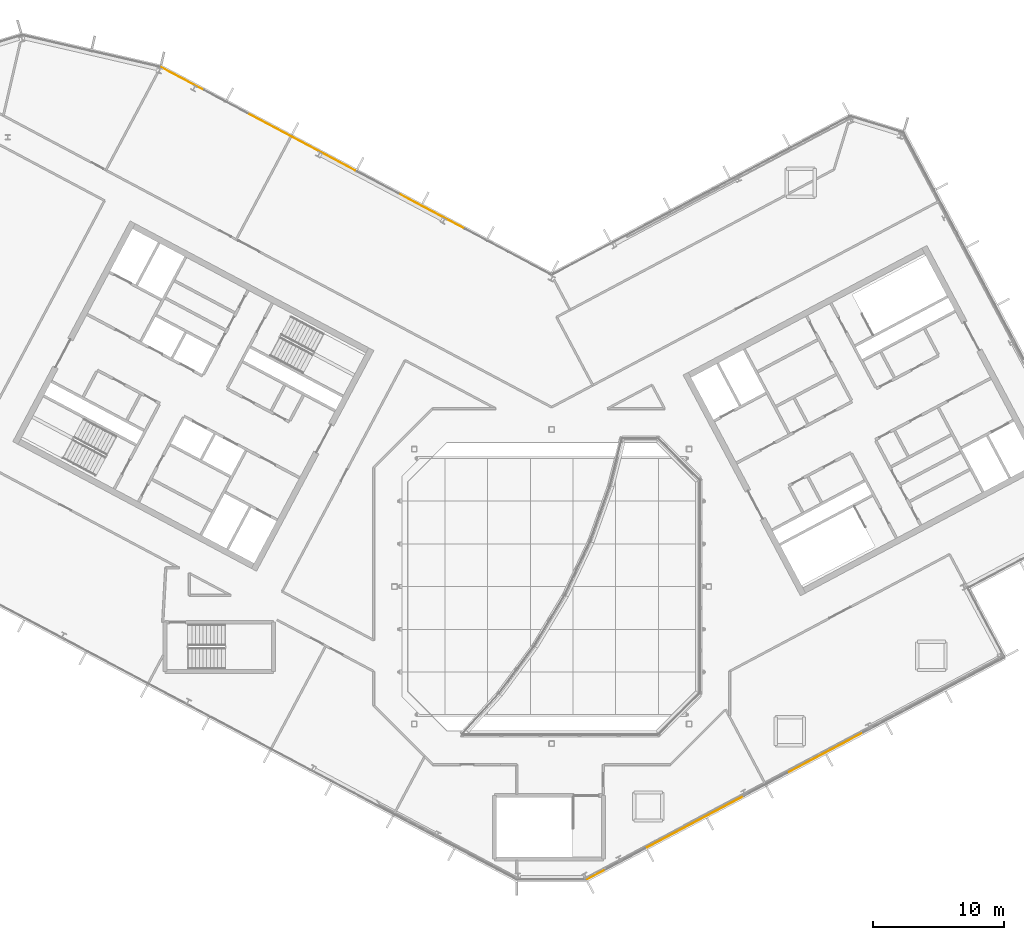
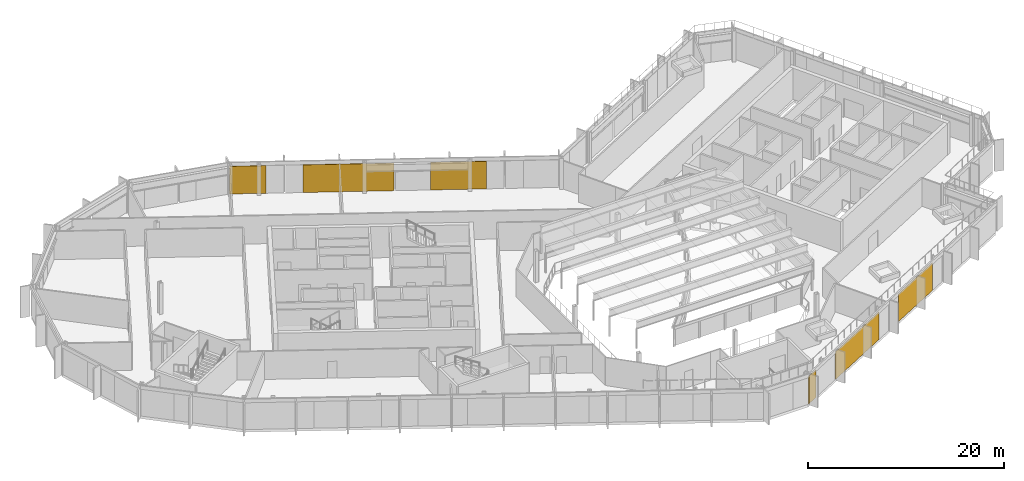
# One storey, part 34 of 35: 6 coverings, 2 elements without a shape of their own.
"""IFC4 building model written with IfcOpenShell, lengths in metres."""

from ifc_helpers import new_model, si_unit, direction, frame, origin, origin_2d, place, context, subcontext, project, spatial, rectangle, extrude, material, layer, layer_set, type_object, element, aggregate, save


model = new_model("IFC4")

# Units and contexts
model_context = context("Model", 3, precision=1e-05, world=origin(), true_north=direction((0.0, 1.0)))
body_context = subcontext(model_context, "Body", "Model", "MODEL_VIEW")
ifc_project = project(units=[si_unit("LENGTHUNIT", "METRE"), si_unit("AREAUNIT", "SQUARE_METRE"), si_unit("VOLUMEUNIT", "CUBIC_METRE"), si_unit("PLANEANGLEUNIT", "RADIAN"), si_unit("MASSUNIT", "GRAM", prefix="KILO")], contexts=[model_context])

# Site, building, storey
site_placement = place(None, origin())
site = spatial("IfcSite", under=ifc_project, at=site_placement, CompositionType="ELEMENT")
building_placement = place(site_placement, origin())
building = spatial("IfcBuilding", under=site, at=building_placement, Name="Cormorant Relay Tower", CompositionType="ELEMENT")
storey_placement = place(building_placement, frame((0.0, 0.0, 324.300048828125)))
storey = spatial("IfcBuildingStorey", under=building, at=storey_placement, Name="L74", CompositionType="ELEMENT", Elevation=324.300048828125)

# Curtain wall, coverings
ifc_material_1 = material(Name="Aluminium 6063-T6 anodised bronze", Category="aluminium")
ifc_layer_1 = layer(ifc_material_1, 0.199951171875)
ifc_layer_set_1 = layer_set([ifc_layer_1], Name="CW1 unitised bronze curtain wall with vertical fins")
curtain_wall_type = type_object("IfcCurtainWallType", Name="CW1 unitised bronze curtain wall with vertical fins", PredefinedType="NOTDEFINED", material=ifc_layer_set_1)
curtain_wall_1_placement = place(storey_placement, origin())
curtain_wall_1 = element("IfcCurtainWall", 1, at=curtain_wall_1_placement, inside=storey, type_object=curtain_wall_type, Name="CW1 curtain wall 2", PredefinedType="NOTDEFINED")
ifc_material_2 = material(Name="Pale bronze anodised aluminium insulated panel", Category="aluminium")
ifc_layer_2 = layer(ifc_material_2, 0.0400390625)
ifc_layer_set_2 = layer_set([ifc_layer_2], Name="CW1 pale bronze insulated panel 40")
covering_type = type_object("IfcCoveringType", Name="CW1 pale bronze insulated panel 40", PredefinedType="CLADDING", material=ifc_layer_set_2)
covering_1_placement = place(storey_placement, frame((3.349853515625, -22.025390625, 0.0), z_axis=(0.0, 0.0, 1.0), x_axis=(0.882947592859, 0.469471562786, 0.0)))
covering_1 = element("IfcCovering", 2, at=covering_1_placement, type_object=covering_type, Name="CW1 panel S00", PredefinedType="CLADDING", context=body_context, shape_type="SweptSolid", body=[
    extrude(rectangle(XDim=1.41650390625, YDim=0.0400390625, at=origin_2d()), origin(), (0.0, 0.0, 1.0), 3.449951171875),
])
covering_2_placement = place(storey_placement, frame((10.9873046875, -17.964599609375, 0.0), z_axis=(0.0, 0.0, 1.0), x_axis=(0.882947592859, 0.469471562786, 0.0)))
covering_2 = element("IfcCovering", 3, at=covering_2_placement, type_object=covering_type, Name="CW1 panel S02", PredefinedType="CLADDING", context=body_context, shape_type="SweptSolid", body=[
    extrude(rectangle(XDim=8.383056640625, YDim=0.0400390625, at=origin_2d()), origin(), (0.0, 0.0, 1.0), 3.449951171875),
])
covering_3_placement = place(storey_placement, frame((20.905517578125, -12.69091796875, 0.0), z_axis=(0.0, 0.0, 1.0), x_axis=(0.882947592859, 0.469471562786, 0.0)))
covering_3 = element("IfcCovering", 4, at=covering_3_placement, type_object=covering_type, Name="CW1 panel S05", PredefinedType="CLADDING", context=body_context, shape_type="SweptSolid", body=[
    extrude(rectangle(XDim=6.5830078125, YDim=0.0400390625, at=origin_2d()), origin(), (0.0, 0.0, 1.0), 3.449951171875),
])
aggregate(curtain_wall_1, [covering_1, covering_2, covering_3])

curtain_wall_2_placement = place(storey_placement, origin())
curtain_wall_2 = element("IfcCurtainWall", 5, at=curtain_wall_2_placement, inside=storey, type_object=curtain_wall_type, Name="CW1 curtain wall 9", PredefinedType="NOTDEFINED")
covering_4_placement = place(storey_placement, frame((-9.15380859375, 28.673828125, 0.0), z_axis=(0.0, 0.0, 1.0), x_axis=(-0.882947592859, 0.469471562786, 0.0)))
covering_4 = element("IfcCovering", 6, at=covering_4_placement, type_object=covering_type, Name="CW1 panel S03", PredefinedType="CLADDING", context=body_context, shape_type="SweptSolid", body=[
    extrude(rectangle(XDim=5.72802734375, YDim=0.0400390625, at=origin_2d()), origin(), (0.0, 0.0, 1.0), 3.449951171875),
])
covering_5_placement = place(storey_placement, frame((-19.11181640625, 33.968505859375, 0.0), z_axis=(0.0, 0.0, 1.0), x_axis=(-0.882947592859, 0.469471562786, 0.0)))
covering_5 = element("IfcCovering", 7, at=covering_5_placement, type_object=covering_type, Name="CW1 panel S05", PredefinedType="CLADDING", context=body_context, shape_type="SweptSolid", body=[
    extrude(rectangle(XDim=9.327880859375, YDim=0.0400390625, at=origin_2d()), origin(), (0.0, 0.0, 1.0), 3.449951171875),
])
covering_6_placement = place(storey_placement, frame((-28.20263671875, 38.80224609375, 0.0), z_axis=(0.0, 0.0, 1.0), x_axis=(-0.882947592859, 0.469471562786, 0.0)))
covering_6 = element("IfcCovering", 8, at=covering_6_placement, type_object=covering_type, Name="CW1 panel S08", PredefinedType="CLADDING", context=body_context, shape_type="SweptSolid", body=[
    extrude(rectangle(XDim=3.763916015625, YDim=0.0400390625, at=origin_2d()), origin(), (0.0, 0.0, 1.0), 3.449951171875),
])
aggregate(curtain_wall_2, [covering_4, covering_5, covering_6])

save(model, "model.ifc")
